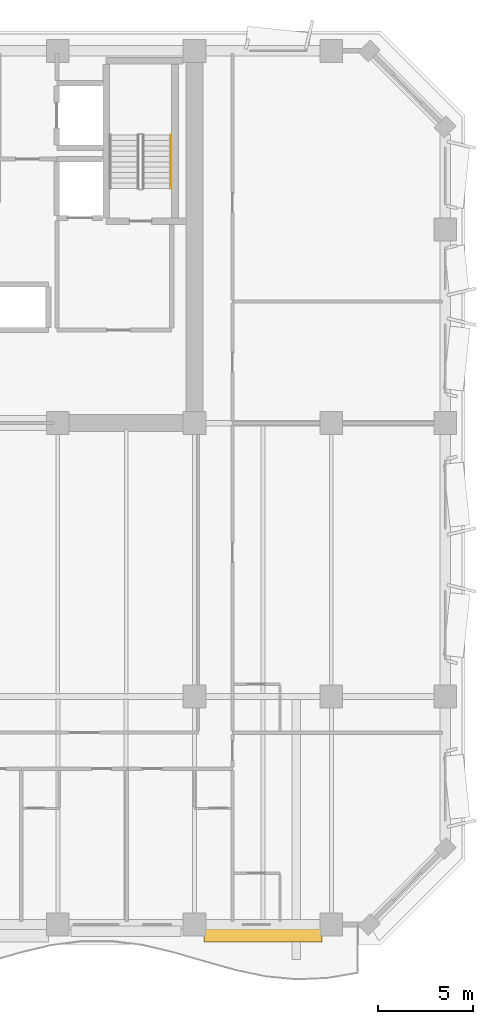
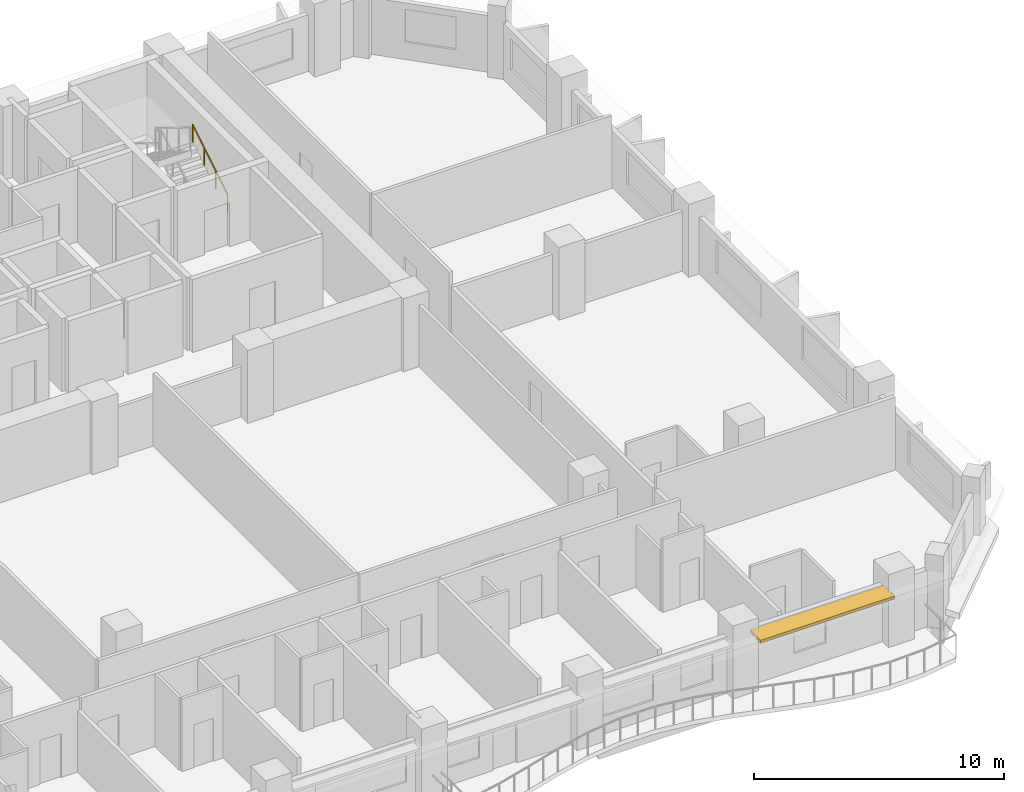
# One storey, part 15 of 15: 1 railing, 1 shading device.
"""IFC4 building model written with IfcOpenShell, lengths in metres."""

from ifc_helpers import new_model, si_unit, direction, frame, origin, origin_2d, place, context, subcontext, project, spatial, rectangle, extrude, material, layer, layer_set, type_object, element, save


model = new_model("IFC4")

# Units and contexts
model_context = context("Model", 3, precision=1e-05, world=origin(), true_north=direction((0.0, 1.0)))
body_context = subcontext(model_context, "Body", "Model", "MODEL_VIEW")
ifc_project = project(units=[si_unit("LENGTHUNIT", "METRE"), si_unit("AREAUNIT", "SQUARE_METRE"), si_unit("VOLUMEUNIT", "CUBIC_METRE"), si_unit("PLANEANGLEUNIT", "RADIAN"), si_unit("MASSUNIT", "GRAM", prefix="KILO")], contexts=[model_context])

# Site, building, storey
site_placement = place(None, origin())
site = spatial("IfcSite", under=ifc_project, at=site_placement, CompositionType="ELEMENT")
building_placement = place(site_placement, origin())
building = spatial("IfcBuilding", under=site, at=building_placement, Name="Kaelvorn Grand Hotel", CompositionType="ELEMENT")
storey_placement = place(building_placement, frame((0.0, 0.0, 146.75)))
storey = spatial("IfcBuildingStorey", under=building, at=storey_placement, Name="L35", CompositionType="ELEMENT", Elevation=146.75)

# Railing
ifc_material_1 = material(Name="Stainless Steel", Category="steel")
railing_type = type_object("IfcRailingType", Name="RL-HANDRAIL-900", PredefinedType="HANDRAIL", material=ifc_material_1)
railing_placement = place(storey_placement, frame((66.550048828125, 41.760009765625, 0.172607421875)))
element("IfcRailing", 1, at=railing_placement, inside=storey, type_object=railing_type, Name="L35 ST3 stair handrail 1", PredefinedType="HANDRAIL", context=body_context, shape_type="SweptSolid", body=[
    extrude(rectangle(XDim=0.048095703125, YDim=0.048095703125, at=origin_2d()), frame((0.0, 0.0, 0.8759765625), z_axis=(0.0, 0.851089632645, 0.525020415988), x_axis=(-1.0, 0.0, 0.0)), (0.0, 0.0, 1.0), 3.2900390625),
    extrude(rectangle(XDim=0.0419921875, YDim=0.0419921875, at=origin_2d()), origin(), (0.0, 0.0, 1.0), 0.851806640625),
    extrude(rectangle(XDim=0.0419921875, YDim=0.0419921875, at=origin_2d()), frame((0.0, 0.933349609375, 0.57568359375)), (0.0, 0.0, 1.0), 0.851806640625),
    extrude(rectangle(XDim=0.0419921875, YDim=0.0419921875, at=origin_2d()), frame((0.0, 1.86669921875, 1.151611328125)), (0.0, 0.0, 1.0), 0.851806640625),
    extrude(rectangle(XDim=0.0419921875, YDim=0.0419921875, at=origin_2d()), frame((0.0, 2.800048828125, 1.727294921875)), (0.0, 0.0, 1.0), 0.851806640625),
])

# Shading device
ifc_material_2 = material(Name="Precast concrete C45/55", Category="concrete")
ifc_layer = layer(ifc_material_2, 0.139892578125)
ifc_layer_set = layer_set([ifc_layer], Name="Precast concrete C45/55")
shading_device_type = type_object("IfcShadingDeviceType", Name="SHD-SUNSHADE-850", PredefinedType="USERDEFINED", material=ifc_layer_set)
shading_device_placement = place(storey_placement, frame((71.39990234375, 2.4951171875, 2.55029296875), z_axis=(0.0, 0.0, 1.0), x_axis=(1.0, 0.0, 0.0)))
element("IfcShadingDevice", 2, at=shading_device_placement, inside=storey, type_object=shading_device_type, Name="L35 Horizontal Concrete Sunshade Band SS-10", ObjectType="SUNSHADE", PredefinedType="USERDEFINED", context=body_context, shape_type="SweptSolid", body=[
    extrude(rectangle(XDim=6.199951171875, YDim=0.85009765625, at=origin_2d()), origin(), (0.0, 0.0, 1.0), 0.139892578125),
])

save(model, "model.ifc")
